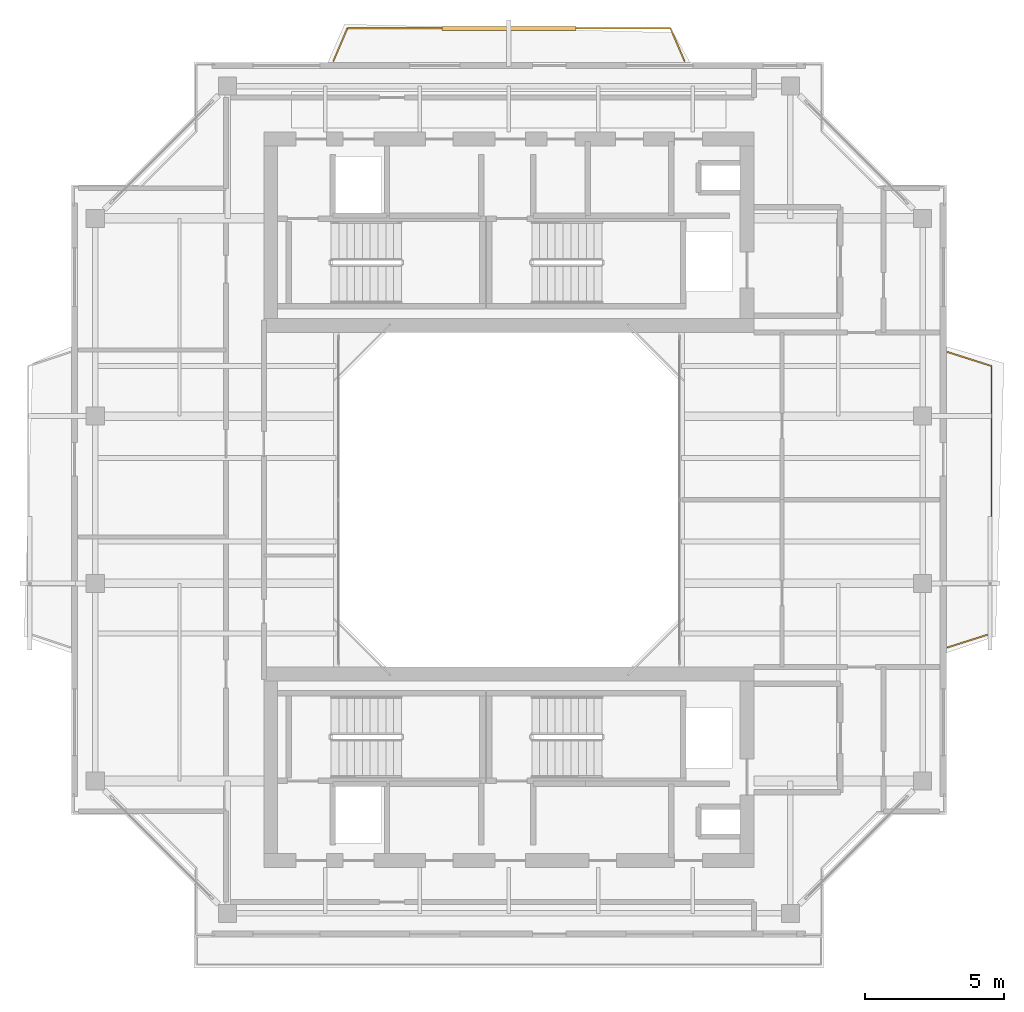
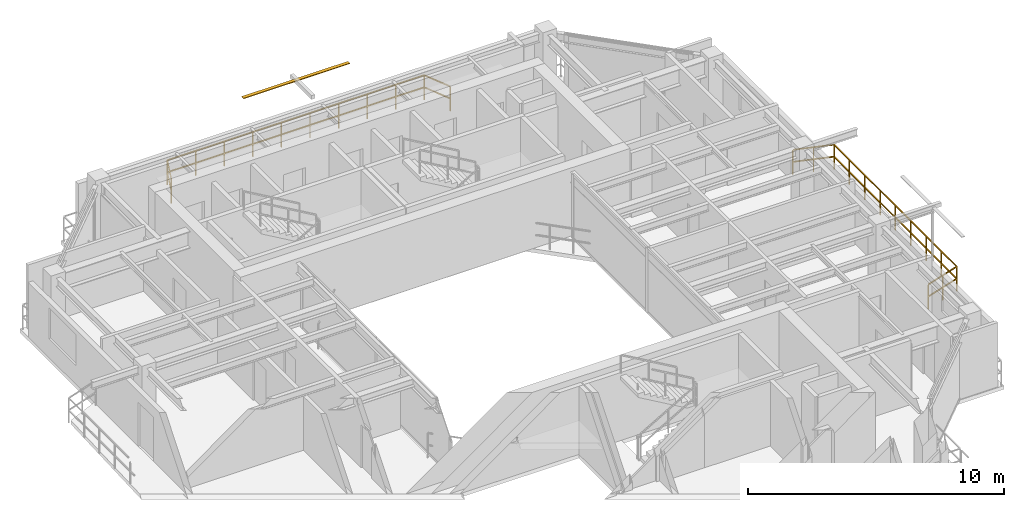
# One storey, part 15 of 15: 2 railings, 1 shading device.
"""IFC4 building model written with IfcOpenShell, lengths in metres."""

from ifc_helpers import new_model, si_unit, direction, frame, origin, origin_2d, place, context, subcontext, project, spatial, rectangle, extrude, source, transform, mapped, material, material_profile, profile_set, type_object, element, save


model = new_model("IFC4")

# Units and contexts
model_context = context("Model", 3, precision=1e-05, world=origin(), true_north=direction((0.0, 1.0)))
body_context = subcontext(model_context, "Body", "Model", "MODEL_VIEW")
ifc_project = project(units=[si_unit("LENGTHUNIT", "METRE"), si_unit("AREAUNIT", "SQUARE_METRE"), si_unit("VOLUMEUNIT", "CUBIC_METRE"), si_unit("PLANEANGLEUNIT", "RADIAN"), si_unit("MASSUNIT", "GRAM", prefix="KILO"), si_unit("THERMODYNAMICTEMPERATUREUNIT", "KELVIN"), si_unit("POWERUNIT", "WATT")], contexts=[model_context])

# Site, building, storey
site_placement = place(None, origin())
site = spatial("IfcSite", under=ifc_project, at=site_placement, CompositionType="ELEMENT")
building_placement = place(site_placement, origin())
building = spatial("IfcBuilding", under=site, at=building_placement, Name="Qiaomeng Ring Towers", CompositionType="ELEMENT")
storey_placement = place(building_placement, frame((0.0, 0.0, 237.25)))
storey = spatial("IfcBuildingStorey", under=building, at=storey_placement, Name="L69", CompositionType="ELEMENT", Elevation=237.25)

# Railings
ifc_material_1 = material(Name="Low-E pale-green laminated safety glass", Category="glass")
railing_type = type_object("IfcRailingType", Name="ARC-RL-BAL1", PredefinedType="BALUSTRADE", material=ifc_material_1)
railing_1_placement = place(storey_placement, frame((34.75, 17.699951171875, 0.0)))
element("IfcRailing", 1, at=railing_1_placement, inside=storey, type_object=railing_type, Name="L69 Balustrade ARC-BAL-L69-T1-E", PredefinedType="BALUSTRADE", context=body_context, shape_type="SweptSolid", body=[
    extrude(rectangle(XDim=0.048095703125, YDim=0.048095703125, at=origin_2d()), frame((0.0, 0.0, 1.17578125), z_axis=(0.952849860715, 0.303442157479, 0.0), x_axis=(-0.303442157479, 0.952849860715, 0.0)), (0.0, 0.0, 1.0), 1.647705078125),
    extrude(rectangle(XDim=0.048095703125, YDim=0.048095703125, at=origin_2d()), frame((0.0, 0.0, 0.60009765625), z_axis=(0.952849860715, 0.303442157479, 0.0), x_axis=(-0.303442157479, 0.952849860715, 0.0)), (0.0, 0.0, 1.0), 1.647705078125),
    extrude(rectangle(XDim=0.048095703125, YDim=0.048095703125, at=origin_2d()), frame((1.570068359375, 0.5, 1.17578125), z_axis=(0.0, 1.0, 0.0), x_axis=(-1.0, 0.0, 0.0)), (0.0, 0.0, 1.0), 9.60009765625),
    extrude(rectangle(XDim=0.048095703125, YDim=0.048095703125, at=origin_2d()), frame((1.570068359375, 0.5, 0.60009765625), z_axis=(0.0, 1.0, 0.0), x_axis=(-1.0, 0.0, 0.0)), (0.0, 0.0, 1.0), 9.60009765625),
    extrude(rectangle(XDim=0.048095703125, YDim=0.048095703125, at=origin_2d()), frame((1.570068359375, 10.10009765625, 1.17578125), z_axis=(-0.952849860715, 0.303442157479, 0.0), x_axis=(-0.303442157479, -0.952849860715, 0.0)), (0.0, 0.0, 1.0), 1.647705078125),
    extrude(rectangle(XDim=0.048095703125, YDim=0.048095703125, at=origin_2d()), frame((1.570068359375, 10.10009765625, 0.60009765625), z_axis=(-0.952849860715, 0.303442157479, 0.0), x_axis=(-0.303442157479, -0.952849860715, 0.0)), (0.0, 0.0, 1.0), 1.647705078125),
    extrude(rectangle(XDim=0.0419921875, YDim=0.0419921875, at=origin_2d()), origin(), (0.0, 0.0, 1.0), 1.15185546875),
    extrude(rectangle(XDim=0.0419921875, YDim=0.0419921875, at=origin_2d()), frame((0.78515625, 0.25, 0.0)), (0.0, 0.0, 1.0), 1.15185546875),
    extrude(rectangle(XDim=0.0419921875, YDim=0.0419921875, at=origin_2d()), frame((1.570068359375, 0.5, 0.0)), (0.0, 0.0, 1.0), 1.15185546875),
    extrude(rectangle(XDim=0.0419921875, YDim=0.0419921875, at=origin_2d()), frame((1.570068359375, 1.699951171875, 0.0)), (0.0, 0.0, 1.0), 1.15185546875),
    extrude(rectangle(XDim=0.0419921875, YDim=0.0419921875, at=origin_2d()), frame((1.570068359375, 2.89990234375, 0.0)), (0.0, 0.0, 1.0), 1.15185546875),
    extrude(rectangle(XDim=0.0419921875, YDim=0.0419921875, at=origin_2d()), frame((1.570068359375, 4.10009765625, 0.0)), (0.0, 0.0, 1.0), 1.15185546875),
    extrude(rectangle(XDim=0.0419921875, YDim=0.0419921875, at=origin_2d()), frame((1.570068359375, 5.300048828125, 0.0)), (0.0, 0.0, 1.0), 1.15185546875),
    extrude(rectangle(XDim=0.0419921875, YDim=0.0419921875, at=origin_2d()), frame((1.570068359375, 6.5, 0.0)), (0.0, 0.0, 1.0), 1.15185546875),
    extrude(rectangle(XDim=0.0419921875, YDim=0.0419921875, at=origin_2d()), frame((1.570068359375, 7.7001953125, 0.0)), (0.0, 0.0, 1.0), 1.15185546875),
    extrude(rectangle(XDim=0.0419921875, YDim=0.0419921875, at=origin_2d()), frame((1.570068359375, 8.900146484375, 0.0)), (0.0, 0.0, 1.0), 1.15185546875),
    extrude(rectangle(XDim=0.0419921875, YDim=0.0419921875, at=origin_2d()), frame((1.570068359375, 10.10009765625, 0.0)), (0.0, 0.0, 1.0), 1.15185546875),
    extrude(rectangle(XDim=0.0419921875, YDim=0.0419921875, at=origin_2d()), frame((0.78515625, 10.35009765625, 0.0)), (0.0, 0.0, 1.0), 1.15185546875),
    extrude(rectangle(XDim=0.0419921875, YDim=0.0419921875, at=origin_2d()), frame((0.0, 10.60009765625, 0.0)), (0.0, 0.0, 1.0), 1.15185546875),
])
railing_2_placement = place(storey_placement, frame((12.699951171875, 38.75, 0.0)))
element("IfcRailing", 2, at=railing_2_placement, inside=storey, type_object=railing_type, Name="L69 Balustrade ARC-BAL-L69-T1-N", PredefinedType="BALUSTRADE", context=body_context, shape_type="SweptSolid", body=[
    extrude(rectangle(XDim=0.048095703125, YDim=0.048095703125, at=origin_2d()), frame((0.0, 0.0, 1.17578125), z_axis=(0.39299272826, 0.919541579014, 0.0), x_axis=(-0.919541579014, 0.39299272826, 0.0)), (0.0, 0.0, 1.0), 1.272216796875),
    extrude(rectangle(XDim=0.048095703125, YDim=0.048095703125, at=origin_2d()), frame((0.0, 0.0, 0.60009765625), z_axis=(0.39299272826, 0.919541579014, 0.0), x_axis=(-0.919541579014, 0.39299272826, 0.0)), (0.0, 0.0, 1.0), 1.272216796875),
    extrude(rectangle(XDim=0.048095703125, YDim=0.048095703125, at=origin_2d()), frame((0.5, 1.169921875, 1.17578125), z_axis=(1.0, 0.0, 0.0), x_axis=(0.0, 1.0, 0.0)), (0.0, 0.0, 1.0), 11.60009765625),
    extrude(rectangle(XDim=0.048095703125, YDim=0.048095703125, at=origin_2d()), frame((0.5, 1.169921875, 0.60009765625), z_axis=(1.0, 0.0, 0.0), x_axis=(0.0, 1.0, 0.0)), (0.0, 0.0, 1.0), 11.60009765625),
    extrude(rectangle(XDim=0.048095703125, YDim=0.048095703125, at=origin_2d()), frame((12.10009765625, 1.169921875, 1.17578125), z_axis=(0.39299272826, -0.919541579014, 0.0), x_axis=(0.919541579014, 0.39299272826, 0.0)), (0.0, 0.0, 1.0), 1.272216796875),
    extrude(rectangle(XDim=0.048095703125, YDim=0.048095703125, at=origin_2d()), frame((12.10009765625, 1.169921875, 0.60009765625), z_axis=(0.39299272826, -0.919541579014, 0.0), x_axis=(0.919541579014, 0.39299272826, 0.0)), (0.0, 0.0, 1.0), 1.272216796875),
    extrude(rectangle(XDim=0.0419921875, YDim=0.0419921875, at=origin_2d()), origin(), (0.0, 0.0, 1.0), 1.15185546875),
    extrude(rectangle(XDim=0.0419921875, YDim=0.0419921875, at=origin_2d()), frame((0.5, 1.169921875, 0.0)), (0.0, 0.0, 1.0), 1.15185546875),
    extrude(rectangle(XDim=0.0419921875, YDim=0.0419921875, at=origin_2d()), frame((1.788818359375, 1.169921875, 0.0)), (0.0, 0.0, 1.0), 1.15185546875),
    extrude(rectangle(XDim=0.0419921875, YDim=0.0419921875, at=origin_2d()), frame((3.077880859375, 1.169921875, 0.0)), (0.0, 0.0, 1.0), 1.15185546875),
    extrude(rectangle(XDim=0.0419921875, YDim=0.0419921875, at=origin_2d()), frame((4.36669921875, 1.169921875, 0.0)), (0.0, 0.0, 1.0), 1.15185546875),
    extrude(rectangle(XDim=0.0419921875, YDim=0.0419921875, at=origin_2d()), frame((5.655517578125, 1.169921875, 0.0)), (0.0, 0.0, 1.0), 1.15185546875),
    extrude(rectangle(XDim=0.0419921875, YDim=0.0419921875, at=origin_2d()), frame((6.944580078125, 1.169921875, 0.0)), (0.0, 0.0, 1.0), 1.15185546875),
    extrude(rectangle(XDim=0.0419921875, YDim=0.0419921875, at=origin_2d()), frame((8.2333984375, 1.169921875, 0.0)), (0.0, 0.0, 1.0), 1.15185546875),
    extrude(rectangle(XDim=0.0419921875, YDim=0.0419921875, at=origin_2d()), frame((9.522216796875, 1.169921875, 0.0)), (0.0, 0.0, 1.0), 1.15185546875),
    extrude(rectangle(XDim=0.0419921875, YDim=0.0419921875, at=origin_2d()), frame((10.811279296875, 1.169921875, 0.0)), (0.0, 0.0, 1.0), 1.15185546875),
    extrude(rectangle(XDim=0.0419921875, YDim=0.0419921875, at=origin_2d()), frame((12.10009765625, 1.169921875, 0.0)), (0.0, 0.0, 1.0), 1.15185546875),
    extrude(rectangle(XDim=0.0419921875, YDim=0.0419921875, at=origin_2d()), frame((12.60009765625, 0.0, 0.0)), (0.0, 0.0, 1.0), 1.15185546875),
])

# Shading device
ifc_material_2 = material(Name="Fluorocarbon dark-grey aluminium", Category="aluminium")
ifc_material_profile = material_profile(ifc_material_2, rectangle(XDim=0.14990234375, YDim=0.034912109375, at=origin_2d()), Name="LV BLADE 150x35")
ifc_profile_set = profile_set([ifc_material_profile], Name="Fluorocarbon dark-grey aluminium")
shading_device_type = type_object("IfcShadingDeviceType", Name="ARC-SHD-SUN", PredefinedType="AWNING", material=ifc_profile_set)
shared_shape = source(origin(), body_context, "Body", "SweptSolid", [
    extrude(rectangle(XDim=0.14990234375, YDim=0.034912109375, at=origin_2d()), origin(), (0.0, 0.0, 1.0), 4.7998046875),
])
shading_device_placement = place(storey_placement, frame((16.60009765625, 39.919921875, 2.969970703125), z_axis=(1.0, 0.0, 0.0), x_axis=(0.0, 1.0, 0.0)))
element("IfcShadingDevice", 3, at=shading_device_placement, inside=storey, type_object=shading_device_type, Name="L69 Ventilated Outer-Skin Sunshade N", PredefinedType="AWNING", context=body_context, shape_type="MappedRepresentation", body=[
    mapped(shared_shape, transform((0.0, 0.0, 0.0), x_axis=(1.0, 0.0, 0.0), y_axis=(0.0, 1.0, 0.0), z_axis=(0.0, 0.0, 1.0), scale=1.0)),
])

save(model, "model.ifc")
